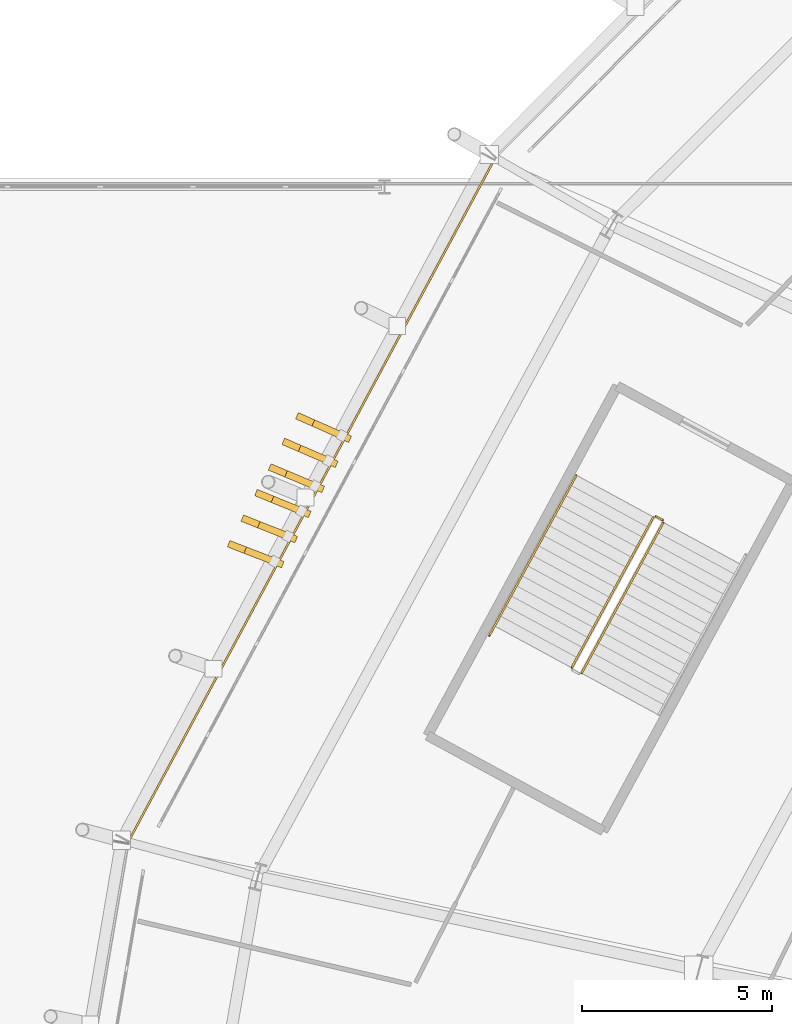
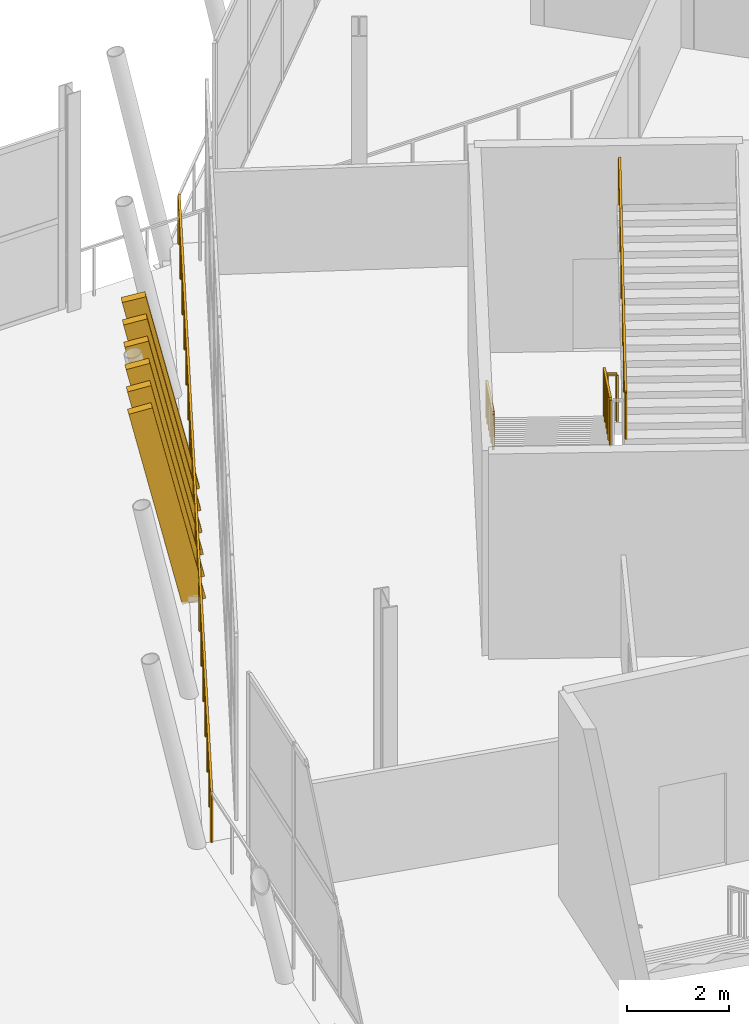
# One storey, part 150 of 168: 6 shading devices, 5 railings.
"""IFC4 building model written with IfcOpenShell, lengths in metres."""

import ifcopenshell
import ifcopenshell.guid

model = None  # the IFC model being written
_history = None  # IfcOwnerHistory: only IFC2X3 demands one
_inside = {}  # id of a spatial element -> (the spatial element, [elements in it])
_under = {}  # id of a project, library or spatial element -> (it, [spatial elements below it])
_declared = {}  # id of a project -> (the project, [libraries it declares])
_typed = {}  # id of a type object -> (the type object, [elements of that type])
_made_of = {}  # id of a material, layer set ... -> (it, [elements and type objects made of it])


def new_model(schema):
    """Start an empty IFC model of exactly this schema.

    Asked for "IFC4X3", IfcOpenShell would pick the latest addendum, in which some entities
    have other attributes; the version numbers below select the first issue.
    IFC2X3 requires an IfcOwnerHistory on every rooted entity: one is made here for all.
    """
    global model, _history
    if schema == "IFC4X3":
        model = ifcopenshell.file(schema_version=(4, 3, 0, 0))
    else:
        model = ifcopenshell.file(schema=schema)
    _inside.clear()
    _under.clear()
    _declared.clear()
    _typed.clear()
    _made_of.clear()
    _history = None
    if model.schema == "IFC2X3":
        org = make("IfcOrganization", Name="unknown")
        user = make(
            "IfcPersonAndOrganization",
            ThePerson=make("IfcPerson", FamilyName="unknown"),
            TheOrganization=org,
        )
        app = make(
            "IfcApplication",
            ApplicationDeveloper=org,
            Version="unknown",
            ApplicationFullName="unknown",
            ApplicationIdentifier="unknown",
        )
        _history = make(
            "IfcOwnerHistory",
            OwningUser=user,
            OwningApplication=app,
            ChangeAction="ADDED",
            CreationDate=0,
        )
    return model


def make(cls, **values):
    """One entity of the class cls with the attributes given. An attribute that is None is left unset."""
    return model.create_entity(
        cls, **{name: value for name, value in values.items() if value is not None}
    )


def rooted(cls, **values):
    """An entity with a GlobalId (a new one), such as an element, a storey or a relation."""
    return make(cls, GlobalId=ifcopenshell.guid.new(), OwnerHistory=_history, **values)


def si_unit(unit_type, name, prefix=None):
    """IfcSIUnit, for example si_unit("LENGTHUNIT", "METRE", prefix="MILLI")."""
    return make("IfcSIUnit", UnitType=unit_type, Prefix=prefix, Name=name)


def assignment(units):
    """IfcUnitAssignment: the units of a project."""
    return None if units is None else make("IfcUnitAssignment", Units=units)


def point(xyz):
    """IfcCartesianPoint."""
    return None if xyz is None else make("IfcCartesianPoint", Coordinates=xyz)


def direction(xyz):
    """IfcDirection."""
    return None if xyz is None else make("IfcDirection", DirectionRatios=xyz)


def frame(location, z_axis=None, x_axis=None):
    """IfcAxis2Placement3D, a coordinate frame: its origin and axes. An axis left out is left unset."""
    return make(
        "IfcAxis2Placement3D",
        Location=point(location),
        Axis=direction(z_axis),
        RefDirection=direction(x_axis),
    )


def frame_2d(location, x_axis=None):
    """IfcAxis2Placement2D, a coordinate frame in the plane: its origin and x axis."""
    return make(
        "IfcAxis2Placement2D", Location=point(location), RefDirection=direction(x_axis)
    )


def origin():
    """The frame at (0, 0, 0) with its axes left unset."""
    return frame((0.0, 0.0, 0.0))


def origin_2d():
    """The frame at (0, 0) in the plane with its x axis left unset."""
    return frame_2d((0.0, 0.0))


def place(relative_to, where):
    """IfcLocalPlacement: puts the frame where relative to a parent placement (None: the world)."""
    return make(
        "IfcLocalPlacement", PlacementRelTo=relative_to, RelativePlacement=where
    )


def context(
    kind, dimensions, precision=None, world=None, true_north=None, identifier=None
):
    """IfcGeometricRepresentationContext, for example the 3D "Model" context."""
    return make(
        "IfcGeometricRepresentationContext",
        ContextIdentifier=identifier,
        ContextType=kind,
        CoordinateSpaceDimension=dimensions,
        Precision=precision,
        WorldCoordinateSystem=world,
        TrueNorth=true_north,
    )


def subcontext(parent, identifier, kind, view, scale=None):
    """IfcGeometricRepresentationSubContext, for example "Body" below "Model"."""
    return make(
        "IfcGeometricRepresentationSubContext",
        ContextIdentifier=identifier,
        ContextType=kind,
        ParentContext=parent,
        TargetScale=scale,
        TargetView=view,
    )


def project(units=None, contexts=None):
    """IfcProject with its units and contexts."""
    return rooted(
        "IfcProject",
        Name="project",
        RepresentationContexts=contexts,
        UnitsInContext=assignment(units),
    )


def spatial(cls, under=None, at=None, **own):
    """A site, building, storey or space (cls), placed at a placement, below another one or the project."""
    s = rooted(cls, ObjectPlacement=at, **own)
    if under is not None:
        _under.setdefault(under.id(), (under, []))[1].append(s)
    return s


def profile(cls, at=None, kind="AREA", **sizes):
    """A parametric profile (cls). Its sizes go by their IFC names, for example OverallWidth=200.0."""
    return make(cls, ProfileType=kind, Position=at, **sizes)


def rectangle(**sizes):
    """IfcRectangleProfileDef."""
    return profile("IfcRectangleProfileDef", **sizes)


def extrude(swept, where, along, depth):
    """IfcExtrudedAreaSolid: the profile swept, set in the frame where, extruded along a direction by depth."""
    return make(
        "IfcExtrudedAreaSolid",
        SweptArea=swept,
        Position=where,
        ExtrudedDirection=direction(along),
        Depth=depth,
    )


def shape(context_of_items, identifier, shape_type, items):
    """IfcShapeRepresentation: the items that make up one representation, for example the "Body"."""
    return make(
        "IfcShapeRepresentation",
        ContextOfItems=context_of_items,
        RepresentationIdentifier=identifier,
        RepresentationType=shape_type,
        Items=items,
    )


def material(Name=None, Category=None):
    """IfcMaterial."""
    return make("IfcMaterial", Name=Name, Category=Category)


def material_profile(
    of_material, cross_section, Name=None, Category=None, Priority=None
):
    """IfcMaterialProfile: a cross section and its material."""
    return make(
        "IfcMaterialProfile",
        Name=Name,
        Material=of_material,
        Profile=cross_section,
        Priority=Priority,
        Category=Category,
    )


def profile_set(profiles, Name=None, composite=None):
    """IfcMaterialProfileSet."""
    return make(
        "IfcMaterialProfileSet",
        Name=Name,
        MaterialProfiles=profiles,
        CompositeProfile=composite,
    )


def made_of(thing, what):
    """Note that an element or type object is made of a material, layer set ...; save() writes the relation."""
    if what is not None:
        _made_of.setdefault(what.id(), (what, []))[1].append(thing)
    return thing


def type_object(cls, material=None, **own):
    """A type object (cls), such as IfcWallType, which elements share."""
    return made_of(rooted(cls, **own), material)


def element(
    cls,
    number,
    at=None,
    inside=None,
    cuts=None,
    type_object=None,
    material=None,
    context=None,
    identifier="Body",
    shape_type=None,
    held_by="IfcProductDefinitionShape",
    body=None,
    shapes=None,
    **own,
):
    """One element of the class cls, such as IfcWall. Its Tag is "e" and its number.

    at: its placement. inside: the storey or other place that contains it. cuts: it is an
    opening in that element (IfcRelVoidsElement). A single representation is given by context,
    identifier, shape_type and body (its items); several are given by shapes. held_by: the class
    of the entity that holds the representations. save() writes the other relations.
    """
    e = rooted(cls, Tag="e%d" % number, ObjectPlacement=at, **own)
    if body is not None:
        shapes = [shape(context, identifier, shape_type, body)]
    if shapes is not None:
        e.Representation = make(held_by, Representations=shapes)
    if inside is not None:
        _inside.setdefault(inside.id(), (inside, []))[1].append(e)
    if cuts is not None:
        rooted(
            "IfcRelVoidsElement", RelatingBuildingElement=cuts, RelatedOpeningElement=e
        )
    if type_object is not None:
        _typed.setdefault(type_object.id(), (type_object, []))[1].append(e)
    return made_of(e, material)


def aggregate(whole, parts):
    """IfcRelAggregates: a whole, such as a stair, and the parts it consists of."""
    return rooted("IfcRelAggregates", RelatingObject=whole, RelatedObjects=parts)


def save(model, path):
    """Write the relations noted so far, then the file.

    IfcRelAggregates (storeys below a building ...), IfcRelContainedInSpatialStructure (elements
    in a storey), IfcRelDefinesByType, IfcRelAssociatesMaterial and IfcRelDeclares: one each for
    every whole, place, type object, material and project.
    """
    for whole, parts in _under.values():
        aggregate(whole, parts)
    for where, things in _inside.values():
        rooted(
            "IfcRelContainedInSpatialStructure",
            RelatedElements=things,
            RelatingStructure=where,
        )
    for kind, things in _typed.values():
        rooted("IfcRelDefinesByType", RelatedObjects=things, RelatingType=kind)
    for what, things in _made_of.values():
        rooted("IfcRelAssociatesMaterial", RelatedObjects=things, RelatingMaterial=what)
    for by, libraries in _declared.values():
        rooted("IfcRelDeclares", RelatingContext=by, RelatedDefinitions=libraries)
    model.write(path)


model = new_model("IFC4")

# Units and contexts
model_context = context("Model", 3, precision=1e-05, world=origin(), true_north=direction((0.0, 1.0)))
body_context = subcontext(model_context, "Body", "Model", "MODEL_VIEW")
ifc_project = project(units=[si_unit("LENGTHUNIT", "METRE"), si_unit("AREAUNIT", "SQUARE_METRE"), si_unit("VOLUMEUNIT", "CUBIC_METRE"), si_unit("PLANEANGLEUNIT", "RADIAN"), si_unit("MASSUNIT", "GRAM", prefix="KILO")], contexts=[model_context])

# Site, building, storey
site_placement = place(None, origin())
site = spatial("IfcSite", under=ifc_project, at=site_placement, CompositionType="ELEMENT")
building_placement = place(site_placement, origin())
building = spatial("IfcBuilding", under=site, at=building_placement, Name="Zlatoyarsky Gate Stadium", CompositionType="ELEMENT")
storey_placement = place(building_placement, frame((0.0, 0.0, 15.60009765625)))
storey = spatial("IfcBuildingStorey", under=building, at=storey_placement, Name="L03", CompositionType="ELEMENT", Elevation=15.60009765625)

# Railings
ifc_material_1 = material(Name="Powder-coated steel tubular guardrail", Category="steel")
railing_type_1 = type_object("IfcRailingType", Name="CONCOURSE SLAB EDGE GUARDRAIL 1200", PredefinedType="GUARDRAIL", material=ifc_material_1)
railing_1_placement = place(storey_placement, frame((27.4091796875, 117.260986328125, 0.0)))
element("IfcRailing", 1, at=railing_1_placement, inside=storey, type_object=railing_type_1, Name="L03 outer slab edge guardrail 10", PredefinedType="GUARDRAIL", context=body_context, shape_type="SweptSolid", body=[
    extrude(rectangle(XDim=0.048095703125, YDim=0.048095703125, at=origin_2d()), frame((0.0, 0.0, 1.17578125), z_axis=(-0.472758767062, -0.881191890661, 0.0), x_axis=(0.881191890661, -0.472758767062, 0.0)), (0.0, 0.0, 1.0), 20.396484375),
    extrude(rectangle(XDim=0.0419921875, YDim=0.0419921875, at=origin_2d()), origin(), (0.0, 0.0, 1.0), 1.15185546875),
    extrude(rectangle(XDim=0.0419921875, YDim=0.0419921875, at=origin_2d()), frame((-0.567138671875, -1.05712890625, 0.0)), (0.0, 0.0, 1.0), 1.15185546875),
    extrude(rectangle(XDim=0.0419921875, YDim=0.0419921875, at=origin_2d()), frame((-1.134521484375, -2.114501953125, 0.0)), (0.0, 0.0, 1.0), 1.15185546875),
    extrude(rectangle(XDim=0.0419921875, YDim=0.0419921875, at=origin_2d()), frame((-1.70166015625, -3.171630859375, 0.0)), (0.0, 0.0, 1.0), 1.15185546875),
    extrude(rectangle(XDim=0.0419921875, YDim=0.0419921875, at=origin_2d()), frame((-2.268798828125, -4.22900390625, 0.0)), (0.0, 0.0, 1.0), 1.15185546875),
    extrude(rectangle(XDim=0.0419921875, YDim=0.0419921875, at=origin_2d()), frame((-2.8359375, -5.2861328125, 0.0)), (0.0, 0.0, 1.0), 1.15185546875),
    extrude(rectangle(XDim=0.0419921875, YDim=0.0419921875, at=origin_2d()), frame((-3.4033203125, -6.343505859375, 0.0)), (0.0, 0.0, 1.0), 1.15185546875),
    extrude(rectangle(XDim=0.0419921875, YDim=0.0419921875, at=origin_2d()), frame((-3.970458984375, -7.400634765625, 0.0)), (0.0, 0.0, 1.0), 1.15185546875),
    extrude(rectangle(XDim=0.0419921875, YDim=0.0419921875, at=origin_2d()), frame((-4.53759765625, -8.4580078125, 0.0)), (0.0, 0.0, 1.0), 1.15185546875),
    extrude(rectangle(XDim=0.0419921875, YDim=0.0419921875, at=origin_2d()), frame((-5.10498046875, -9.51513671875, 0.0)), (0.0, 0.0, 1.0), 1.15185546875),
    extrude(rectangle(XDim=0.0419921875, YDim=0.0419921875, at=origin_2d()), frame((-5.672119140625, -10.572509765625, 0.0)), (0.0, 0.0, 1.0), 1.15185546875),
    extrude(rectangle(XDim=0.0419921875, YDim=0.0419921875, at=origin_2d()), frame((-6.2392578125, -11.629638671875, 0.0)), (0.0, 0.0, 1.0), 1.15185546875),
    extrude(rectangle(XDim=0.0419921875, YDim=0.0419921875, at=origin_2d()), frame((-6.806640625, -12.68701171875, 0.0)), (0.0, 0.0, 1.0), 1.15185546875),
    extrude(rectangle(XDim=0.0419921875, YDim=0.0419921875, at=origin_2d()), frame((-7.373779296875, -13.744140625, 0.0)), (0.0, 0.0, 1.0), 1.15185546875),
    extrude(rectangle(XDim=0.0419921875, YDim=0.0419921875, at=origin_2d()), frame((-7.94091796875, -14.801513671875, 0.0)), (0.0, 0.0, 1.0), 1.15185546875),
    extrude(rectangle(XDim=0.0419921875, YDim=0.0419921875, at=origin_2d()), frame((-8.508056640625, -15.858642578125, 0.0)), (0.0, 0.0, 1.0), 1.15185546875),
    extrude(rectangle(XDim=0.0419921875, YDim=0.0419921875, at=origin_2d()), frame((-9.075439453125, -16.916015625, 0.0)), (0.0, 0.0, 1.0), 1.15185546875),
    extrude(rectangle(XDim=0.0419921875, YDim=0.0419921875, at=origin_2d()), frame((-9.642578125, -17.97314453125, 0.0)), (0.0, 0.0, 1.0), 1.15185546875),
])
ifc_material_2 = material(Name="Powder-coated steel stair guardrail", Category="steel")
railing_type_2 = type_object("IfcRailingType", Name="PAINTED STEEL STAIR WELL GUARDRAIL 1150", PredefinedType="GUARDRAIL", material=ifc_material_2)
railing_2_placement = place(storey_placement, frame((31.562744140625, 107.824951171875, 0.162353515625)))
element("IfcRailing", 2, at=railing_2_placement, inside=storey, type_object=railing_type_2, Name="ST-06 L03 stair guard 1", PredefinedType="GUARDRAIL", context=body_context, shape_type="SweptSolid", body=[
    extrude(rectangle(XDim=0.048095703125, YDim=0.048095703125, at=origin_2d()), frame((0.0, 0.0, 1.1259765625), z_axis=(-0.419324818617, -0.772864776611, 0.476284299098), x_axis=(0.878963249763, -0.476889510858, 0.0)), (0.0, 0.0, 1.0), 5.11767578125),
    extrude(rectangle(XDim=0.0419921875, YDim=0.0419921875, at=origin_2d()), origin(), (0.0, 0.0, 1.0), 1.101806640625),
    extrude(rectangle(XDim=0.0419921875, YDim=0.0419921875, at=origin_2d()), frame((-0.42919921875, -0.791015625, 0.487548828125)), (0.0, 0.0, 1.0), 1.101806640625),
    extrude(rectangle(XDim=0.0419921875, YDim=0.0419921875, at=origin_2d()), frame((-0.8583984375, -1.58203125, 0.97509765625)), (0.0, 0.0, 1.0), 1.101806640625),
    extrude(rectangle(XDim=0.0419921875, YDim=0.0419921875, at=origin_2d()), frame((-1.28759765625, -2.373291015625, 1.46240234375)), (0.0, 0.0, 1.0), 1.101806640625),
    extrude(rectangle(XDim=0.0419921875, YDim=0.0419921875, at=origin_2d()), frame((-1.716796875, -3.164306640625, 1.949951171875)), (0.0, 0.0, 1.0), 1.101806640625),
    extrude(rectangle(XDim=0.0419921875, YDim=0.0419921875, at=origin_2d()), frame((-2.14599609375, -3.955322265625, 2.4375)), (0.0, 0.0, 1.0), 1.101806640625),
])
railing_3_placement = place(storey_placement, frame((29.680419921875, 103.7265625, 2.762451171875)))
element("IfcRailing", 3, at=railing_3_placement, inside=storey, type_object=railing_type_2, Name="ST-06 L03 stair guard 3", PredefinedType="GUARDRAIL", context=body_context, shape_type="SweptSolid", body=[
    extrude(rectangle(XDim=0.048095703125, YDim=0.048095703125, at=origin_2d()), frame((0.0, 0.0, 1.1259765625), z_axis=(0.419324818617, 0.772864776611, 0.476284299098), x_axis=(-0.878963249763, 0.476889510858, 0.0)), (0.0, 0.0, 1.0), 5.11767578125),
    extrude(rectangle(XDim=0.0419921875, YDim=0.0419921875, at=origin_2d()), origin(), (0.0, 0.0, 1.0), 1.101806640625),
    extrude(rectangle(XDim=0.0419921875, YDim=0.0419921875, at=origin_2d()), frame((0.42919921875, 0.791015625, 0.487548828125)), (0.0, 0.0, 1.0), 1.101806640625),
    extrude(rectangle(XDim=0.0419921875, YDim=0.0419921875, at=origin_2d()), frame((0.8583984375, 1.58203125, 0.97509765625)), (0.0, 0.0, 1.0), 1.101806640625),
    extrude(rectangle(XDim=0.0419921875, YDim=0.0419921875, at=origin_2d()), frame((1.28759765625, 2.373291015625, 1.46240234375)), (0.0, 0.0, 1.0), 1.101806640625),
    extrude(rectangle(XDim=0.0419921875, YDim=0.0419921875, at=origin_2d()), frame((1.716796875, 3.164306640625, 1.949951171875)), (0.0, 0.0, 1.0), 1.101806640625),
    extrude(rectangle(XDim=0.0419921875, YDim=0.0419921875, at=origin_2d()), frame((2.14599609375, 3.955322265625, 2.4375)), (0.0, 0.0, 1.0), 1.101806640625),
])
railing_4_placement = place(storey_placement, frame((31.63037109375, 107.84521484375, 0.0)))
element("IfcRailing", 4, at=railing_4_placement, inside=storey, type_object=railing_type_2, Name="ST-06 L03 stair guard 4", PredefinedType="GUARDRAIL", context=body_context, shape_type="SweptSolid", body=[
    extrude(rectangle(XDim=0.048095703125, YDim=0.048095703125, at=origin_2d()), frame((0.0, 0.0, 1.1259765625), z_axis=(0.878780312785, -0.477226530971, 0.0), x_axis=(0.477226530971, 0.878780312785, 0.0)), (0.0, 0.0, 1.0), 0.199951171875),
    extrude(rectangle(XDim=0.0419921875, YDim=0.0419921875, at=origin_2d()), origin(), (0.0, 0.0, 1.0), 1.101806640625),
    extrude(rectangle(XDim=0.0419921875, YDim=0.0419921875, at=origin_2d()), frame((0.17578125, -0.095458984375, 0.0)), (0.0, 0.0, 1.0), 1.101806640625),
])

# Shading devices
ifc_material_3 = material(Name="Precast concrete C40/50 stone-toned architectural rib", Category="masonry")
ifc_material_profile = material_profile(ifc_material_3, rectangle(XDim=0.179931640625, YDim=0.47998046875, at=origin_2d()), Name="RIB 180X480")
ifc_profile_set = profile_set([ifc_material_profile], Name="Precast concrete C40/50 stone-toned architectural rib")
shading_device_type = type_object("IfcShadingDeviceType", Name="PRECAST RIBBED BOWL LOUVRE FIN 180X480", PredefinedType="JALOUSIE", material=ifc_profile_set)
for number, where, z_axis, x_axis, name in (
    (5, (23.382568359375, 109.964599609375, -0.010009765625), (-0.202521751379, 0.089714479168, 0.975159603576), (-0.405025327301, -0.914305465501, 0.0), "Leaning bowl louvre fin L03-10-1"),
    (6, (23.028076171875, 109.3037109375, -0.010009765625), (-0.203341409477, 0.087722914591, 0.975170221781), (-0.396117808554, -0.918199696007, 0.0), "Leaning bowl louvre fin L03-10-2"),
    (7, (22.673583984375, 108.642822265625, -0.010009765625), (-0.204160138444, 0.085730908986, 0.975176316937), (-0.387169720357, -0.922008463973, 0.0), "Leaning bowl louvre fin L03-10-3"),
    (8, (22.319091796875, 107.98193359375, -0.010009765625), (-0.204977926852, 0.083738490058, 0.975177888791), (-0.378183571957, -0.925730622753, 0.0), "Leaning bowl louvre fin L03-10-4"),
    (9, (21.964599609375, 107.32080078125, -0.010009765625), (-0.205793043267, 0.081847183544, 0.975166786703), (-0.369560369764, -0.929206722479, 0.0), "Leaning bowl louvre fin L03-10-5"),
    (10, (21.610107421875, 106.659912109375, -0.010009765625), (-0.206608951703, 0.079854053292, 0.97515951067), (-0.360508745614, -0.932755833182, 0.0), "Leaning bowl louvre fin L03-10-6"),
):
    element("IfcShadingDevice", number, at=place(storey_placement, frame(where, z_axis=z_axis, x_axis=x_axis)), inside=storey, type_object=shading_device_type, Name=name, PredefinedType="JALOUSIE", context=body_context, shape_type="SweptSolid", body=[
        extrude(rectangle(XDim=0.179931640625, YDim=0.47998046875, at=origin_2d()), origin(), (0.0, 0.0, 1.0), 4.778564453125),
    ])

# Railing
ifc_material_4 = material(Name="Brushed stainless steel 316 handrail", Category="steel")
railing_type_3 = type_object("IfcRailingType", Name="STAINLESS STEEL TUBULAR HANDRAIL 900", PredefinedType="HANDRAIL", material=ifc_material_4)
railing_5_placement = place(storey_placement, frame((29.541015625, 108.921875, 0.16650390625)))
element("IfcRailing", 11, at=railing_5_placement, inside=storey, type_object=railing_type_3, Name="ST-06 L03 stair handrail 1", PredefinedType="HANDRAIL", context=body_context, shape_type="SweptSolid", body=[
    extrude(rectangle(XDim=0.048095703125, YDim=0.048095703125, at=origin_2d()), frame((0.0, 0.0, 0.8759765625), z_axis=(-0.419331144084, -0.772873453596, 0.476264649462), x_axis=(0.878962478599, -0.4768909322, 0.0)), (0.0, 0.0, 1.0), 5.458740234375),
    extrude(rectangle(XDim=0.0419921875, YDim=0.0419921875, at=origin_2d()), origin(), (0.0, 0.0, 1.0), 0.851806640625),
    extrude(rectangle(XDim=0.0419921875, YDim=0.0419921875, at=origin_2d()), frame((-0.457763671875, -0.84375, 0.52001953125)), (0.0, 0.0, 1.0), 0.851806640625),
    extrude(rectangle(XDim=0.0419921875, YDim=0.0419921875, at=origin_2d()), frame((-0.91552734375, -1.6875, 1.0400390625)), (0.0, 0.0, 1.0), 0.851806640625),
    extrude(rectangle(XDim=0.0419921875, YDim=0.0419921875, at=origin_2d()), frame((-1.37353515625, -2.531494140625, 1.559814453125)), (0.0, 0.0, 1.0), 0.851806640625),
    extrude(rectangle(XDim=0.0419921875, YDim=0.0419921875, at=origin_2d()), frame((-1.831298828125, -3.375244140625, 2.079833984375)), (0.0, 0.0, 1.0), 0.851806640625),
    extrude(rectangle(XDim=0.0419921875, YDim=0.0419921875, at=origin_2d()), frame((-2.2890625, -4.218994140625, 2.599853515625)), (0.0, 0.0, 1.0), 0.851806640625),
])

save(model, "model.ifc")
